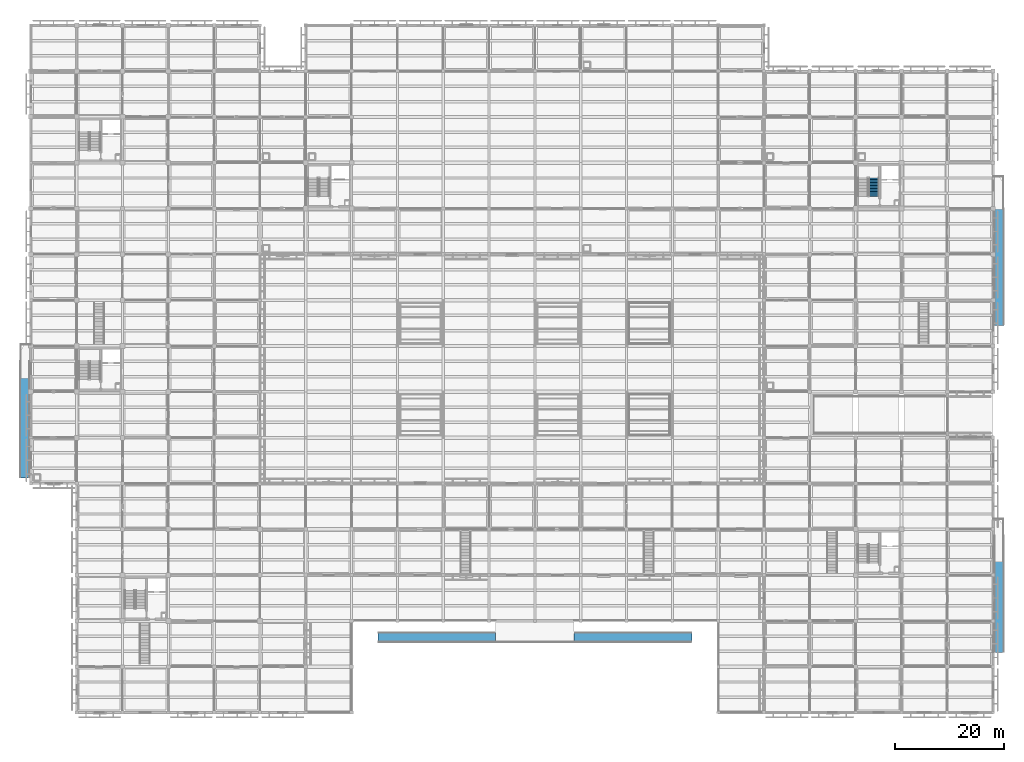
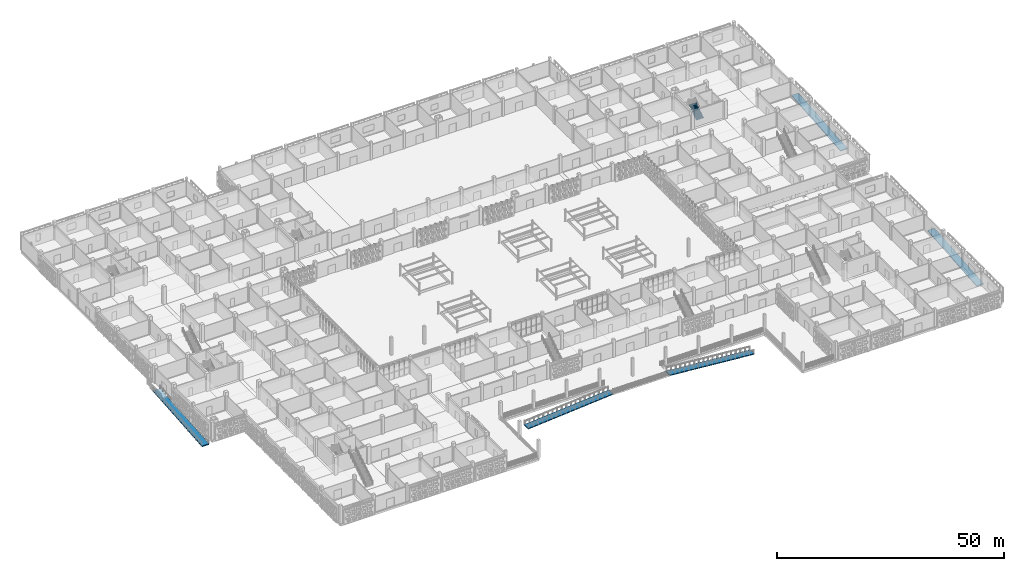
# One storey, part 76 of 129: 5 ramp flights, 1 stair flight, 6 elements without a shape of their own.
"""IFC4 building model written with IfcOpenShell, lengths in metres."""

from ifc_helpers import new_model, si_unit, direction, frame, origin, place, context, subcontext, project, spatial, polyline, outline, extrude, material, layer, layer_set, type_object, element, aggregate, save


model = new_model("IFC4")

# Units and contexts
model_context = context("Model", 3, precision=1e-05, world=origin(), true_north=direction((0.0, 1.0)))
body_context = subcontext(model_context, "Body", "Model", "MODEL_VIEW")
ifc_project = project(units=[si_unit("LENGTHUNIT", "METRE"), si_unit("AREAUNIT", "SQUARE_METRE"), si_unit("VOLUMEUNIT", "CUBIC_METRE"), si_unit("PLANEANGLEUNIT", "RADIAN"), si_unit("MASSUNIT", "GRAM", prefix="KILO")], contexts=[model_context])

# Site, building, storey
site_placement = place(None, origin())
site = spatial("IfcSite", under=ifc_project, at=site_placement, CompositionType="ELEMENT")
building_placement = place(site_placement, origin())
building = spatial("IfcBuilding", under=site, at=building_placement, Name="Varnapada Polytechnic", CompositionType="ELEMENT")
storey_placement = place(building_placement, origin())
storey = spatial("IfcBuildingStorey", under=building, at=storey_placement, Name="L00", CompositionType="ELEMENT", Elevation=0.0)

# Stair, stair flight
ifc_material = material(Name="Concrete C40/50", Category="concrete")
stair_type = type_object("IfcStairType", Name="Core Exit Stair ST-B", PredefinedType="HALF_TURN_STAIR", material=ifc_material)
stair_placement = place(storey_placement, origin())
stair = element("IfcStair", 1, at=stair_placement, inside=storey, type_object=stair_type, Name="L00 Core C5 Exit Stair", PredefinedType="HALF_TURN_STAIR")
stair_flight_type = type_object("IfcStairFlightType", Name="Stair Flight SFL-01", PredefinedType="STRAIGHT", material=ifc_material)
stair_flight_placement = place(storey_placement, frame((154.574951171875, 94.64990234375, 0.0), z_axis=(0.0, 0.0, 1.0), x_axis=(0.0, 1.0, 0.0)))
stair_flight = element("IfcStairFlight", 2, at=stair_flight_placement, type_object=stair_flight_type, Name="ST-5 flight 1", NumberOfRisers=13, NumberOfTreads=12, PredefinedType="STRAIGHT", RiserHeight=0.184615385, TreadLength=0.28, context=body_context, shape_type="SweptSolid", body=[
    extrude(outline(polyline([(0.0, 0.0), (0.0, 0.1845703125), (0.280029296875, 0.1845703125), (0.280029296875, 0.369140625), (0.56005859375, 0.369140625), (0.56005859375, 0.553955078125), (0.840087890625, 0.553955078125), (0.840087890625, 0.738525390625), (1.1201171875, 0.738525390625), (1.1201171875, 0.923095703125), (1.39990234375, 0.923095703125), (1.39990234375, 1.107666015625), (1.679931640625, 1.107666015625), (1.679931640625, 1.292236328125), (1.9599609375, 1.292236328125), (1.9599609375, 1.476806640625), (2.239990234375, 1.476806640625), (2.239990234375, 1.66162109375), (2.52001953125, 1.66162109375), (2.52001953125, 1.84619140625), (2.800048828125, 1.84619140625), (2.800048828125, 2.03076171875), (3.080078125, 2.03076171875), (3.080078125, 2.21533203125), (3.360107421875, 2.21533203125), (3.360107421875, 2.39990234375), (3.360107421875, 1.999755859375), (0.326904296875, 0.0), (0.0, 0.0)])), frame((0.0, 0.925048828125, 0.0), z_axis=(0.0, -1.0, 0.0), x_axis=(1.0, 0.0, 0.0)), (0.0, 0.0, 1.0), 1.85009765625),
])
aggregate(stair, [stair_flight])

# Ramp, ramp flight
ramp_type = type_object("IfcRampType", Name="Accessible Plinth Ramp RMP-01", PredefinedType="STRAIGHT_RUN_RAMP", material=ifc_material)
ramp_1_placement = place(storey_placement, origin())
ramp_1 = element("IfcRamp", 3, at=ramp_1_placement, inside=storey, type_object=ramp_type, Name="South square west colonnade plinth ramp", PredefinedType="STRAIGHT_RUN_RAMP")
ifc_layer = layer(ifc_material, 0.239990234375)
ifc_layer_set = layer_set([ifc_layer], Name="Concrete C40/50")
ramp_flight_type = type_object("IfcRampFlightType", Name="Ramp Flight RFL-01", PredefinedType="STRAIGHT", material=ifc_layer_set)
ramp_flight_1_placement = place(storey_placement, frame((63.60009765625, 13.800048828125, -1.800048828125), z_axis=(0.0, 0.0, 1.0), x_axis=(1.0, 0.0, 0.0)))
ramp_flight_1 = element("IfcRampFlight", 4, at=ramp_flight_1_placement, type_object=ramp_flight_type, Name="South square west colonnade plinth ramp flight 1", PredefinedType="STRAIGHT", context=body_context, shape_type="SweptSolid", body=[
    extrude(outline(polyline([(0.0, 0.0), (21.60009765625, 1.800048828125), (21.60009765625, 1.56005859375), (0.0, -0.239990234375), (0.0, 0.0)])), frame((0.0, 0.89990234375, 0.0), z_axis=(0.0, -1.0, 0.0), x_axis=(1.0, 0.0, 0.0)), (0.0, 0.0, 1.0), 1.800048828125),
])
aggregate(ramp_1, [ramp_flight_1])

ramp_2_placement = place(storey_placement, origin())
ramp_2 = element("IfcRamp", 5, at=ramp_2_placement, inside=storey, type_object=ramp_type, Name="South square east colonnade plinth ramp", PredefinedType="STRAIGHT_RUN_RAMP")
ramp_flight_2_placement = place(storey_placement, frame((121.199951171875, 13.800048828125, -1.800048828125), z_axis=(0.0, 0.0, 1.0), x_axis=(-1.0, 0.0, 0.0)))
ramp_flight_2 = element("IfcRampFlight", 6, at=ramp_flight_2_placement, type_object=ramp_flight_type, Name="South square east colonnade plinth ramp flight 1", PredefinedType="STRAIGHT", context=body_context, shape_type="SweptSolid", body=[
    extrude(outline(polyline([(0.0, 0.0), (21.60009765625, 1.800048828125), (21.60009765625, 1.56005859375), (0.0, -0.239990234375), (0.0, 0.0)])), frame((0.0, 0.89990234375, 0.0), z_axis=(0.0, -1.0, 0.0), x_axis=(1.0, 0.0, 0.0)), (0.0, 0.0, 1.0), 1.800048828125),
])
aggregate(ramp_2, [ramp_flight_2])

ramp_3_placement = place(storey_placement, origin())
ramp_3 = element("IfcRamp", 7, at=ramp_3_placement, inside=storey, type_object=ramp_type, Name="West studio front plinth ramp", PredefinedType="STRAIGHT_RUN_RAMP")
ramp_flight_3_placement = place(storey_placement, frame((-1.10009765625, 43.0, -1.800048828125), z_axis=(0.0, 0.0, 1.0), x_axis=(0.0, 1.0, 0.0)))
ramp_flight_3 = element("IfcRampFlight", 8, at=ramp_flight_3_placement, type_object=ramp_flight_type, Name="West studio front plinth ramp flight 1", PredefinedType="STRAIGHT", context=body_context, shape_type="SweptSolid", body=[
    extrude(outline(polyline([(0.0, 0.0), (21.60009765625, 1.800048828125), (21.60009765625, 1.56005859375), (0.0, -0.239990234375), (0.0, 0.0)])), frame((0.0, 0.89990234375, 0.0), z_axis=(0.0, -1.0, 0.0), x_axis=(1.0, 0.0, 0.0)), (0.0, 0.0, 1.0), 1.800048828125),
])
aggregate(ramp_3, [ramp_flight_3])

ramp_4_placement = place(storey_placement, origin())
ramp_4 = element("IfcRamp", 9, at=ramp_4_placement, inside=storey, type_object=ramp_type, Name="East refectory front plinth ramp", PredefinedType="STRAIGHT_RUN_RAMP")
ramp_flight_4_placement = place(storey_placement, frame((177.5, 11.0, -1.800048828125), z_axis=(0.0, 0.0, 1.0), x_axis=(0.0, 1.0, 0.0)))
ramp_flight_4 = element("IfcRampFlight", 10, at=ramp_flight_4_placement, type_object=ramp_flight_type, Name="East refectory front plinth ramp flight 1", PredefinedType="STRAIGHT", context=body_context, shape_type="SweptSolid", body=[
    extrude(outline(polyline([(0.0, 0.0), (21.60009765625, 1.800048828125), (21.60009765625, 1.56005859375), (0.0, -0.239990234375), (0.0, 0.0)])), frame((0.0, 0.89990234375, 0.0), z_axis=(0.0, -1.0, 0.0), x_axis=(1.0, 0.0, 0.0)), (0.0, 0.0, 1.0), 1.800048828125),
])
aggregate(ramp_4, [ramp_flight_4])

ramp_5_placement = place(storey_placement, origin())
ramp_5 = element("IfcRamp", 11, at=ramp_5_placement, inside=storey, type_object=ramp_type, Name="North-east library front plinth ramp", PredefinedType="STRAIGHT_RUN_RAMP")
ramp_flight_5_placement = place(storey_placement, frame((177.5, 71.0, -1.800048828125), z_axis=(0.0, 0.0, 1.0), x_axis=(0.0, 1.0, 0.0)))
ramp_flight_5 = element("IfcRampFlight", 12, at=ramp_flight_5_placement, type_object=ramp_flight_type, Name="North-east library front plinth ramp flight 1", PredefinedType="STRAIGHT", context=body_context, shape_type="SweptSolid", body=[
    extrude(outline(polyline([(0.0, 0.0), (21.60009765625, 1.800048828125), (21.60009765625, 1.56005859375), (0.0, -0.239990234375), (0.0, 0.0)])), frame((0.0, 0.89990234375, 0.0), z_axis=(0.0, -1.0, 0.0), x_axis=(1.0, 0.0, 0.0)), (0.0, 0.0, 1.0), 1.800048828125),
])
aggregate(ramp_5, [ramp_flight_5])

save(model, "model.ifc")
